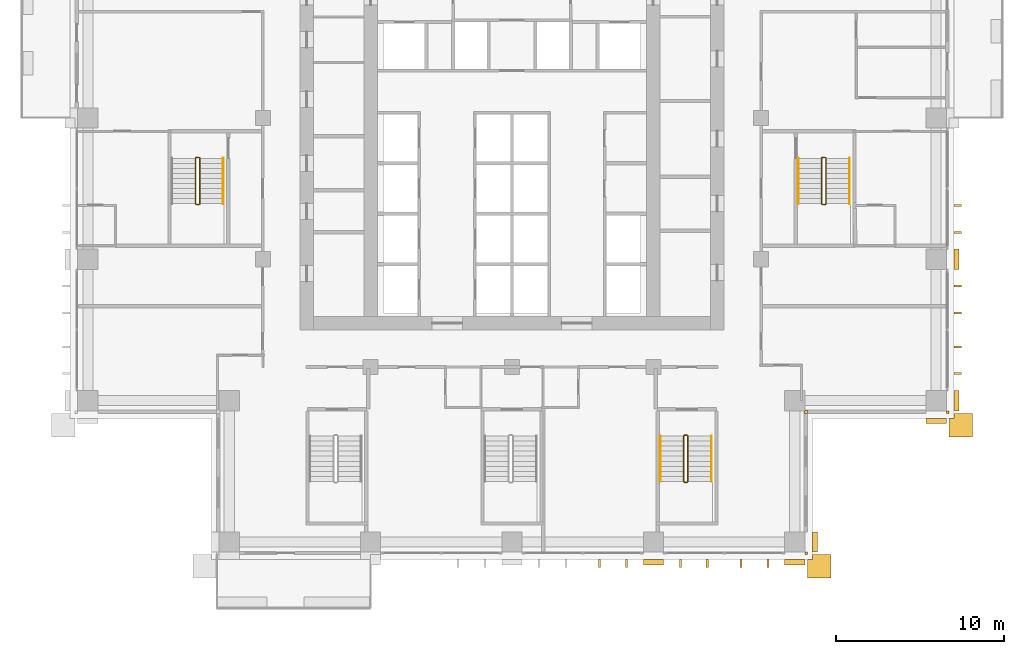
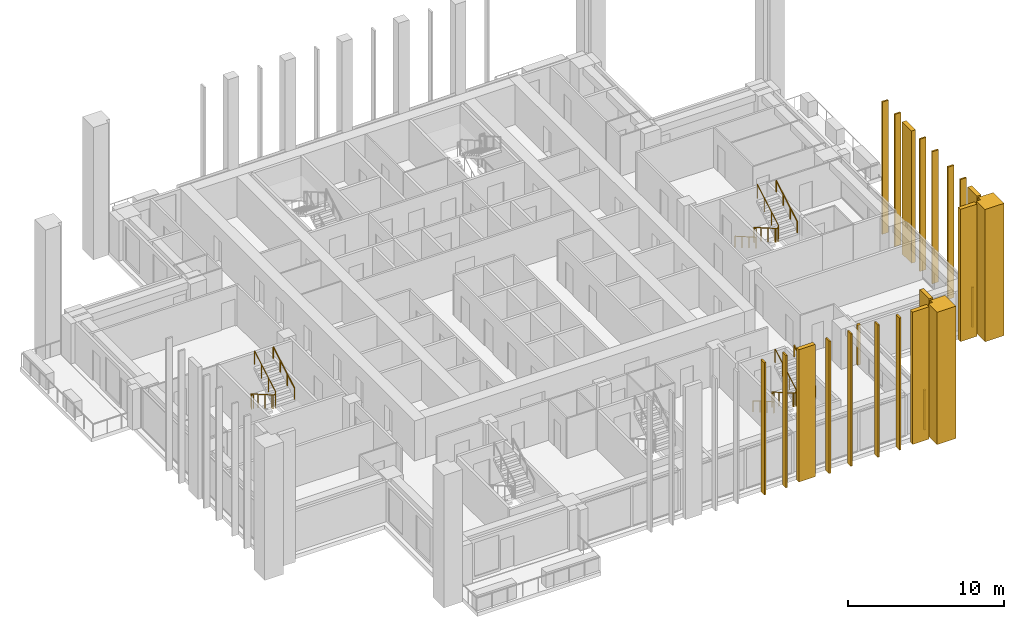
# One storey, part 15 of 18: 23 coverings, 8 railings.
"""IFC4 building model written with IfcOpenShell, lengths in metres."""

from ifc_helpers import new_model, si_unit, direction, frame, origin, origin_2d, place, context, subcontext, project, spatial, polyline, rectangle, outline, extrude, material, layer, layer_set, type_object, element, save


model = new_model("IFC4")

# Units and contexts
model_context = context("Model", 3, precision=1e-05, world=origin(), true_north=direction((0.0, 1.0)))
body_context = subcontext(model_context, "Body", "Model", "MODEL_VIEW")
ifc_project = project(units=[si_unit("LENGTHUNIT", "METRE"), si_unit("AREAUNIT", "SQUARE_METRE"), si_unit("VOLUMEUNIT", "CUBIC_METRE"), si_unit("PLANEANGLEUNIT", "RADIAN"), si_unit("MASSUNIT", "GRAM", prefix="KILO")], contexts=[model_context])

# Site, building, storey
site_placement = place(None, origin())
site = spatial("IfcSite", under=ifc_project, at=site_placement, CompositionType="ELEMENT")
building_placement = place(site_placement, origin())
building = spatial("IfcBuilding", under=site, at=building_placement, Name="Vermilion Ogive Tower", CompositionType="ELEMENT")
storey_placement = place(building_placement, frame((0.0, 0.0, 80.39990234375)))
storey = spatial("IfcBuildingStorey", under=building, at=storey_placement, Name="L19", CompositionType="ELEMENT", Elevation=80.39990234375)

# Coverings
ifc_material_1 = material(Name="Glazed ceramic screen")
ifc_layer = layer(ifc_material_1, 0.14990234375)
ifc_layer_set = layer_set([ifc_layer], Name="Ceramic solar screen fin")
covering_type_1 = type_object("IfcCoveringType", Name="Ceramic solar screen fin", PredefinedType="CLADDING", material=ifc_layer_set)
covering_1_placement = place(storey_placement, frame((0.0, 0.0, -0.31982421875)))
element("IfcCovering", 1, at=covering_1_placement, inside=storey, type_object=covering_type_1, Name="Solar screen blade S011", PredefinedType="CLADDING", context=body_context, shape_type="SweptSolid", body=[
    extrude(outline(polyline([(5.139892578125, -22.5), (5.260009765625, -22.5), (5.260009765625, -22.050048828125), (5.139892578125, -22.050048828125), (5.139892578125, -22.5)])), origin(), (0.0, 0.0, 1.0), 10.349853515625),
])
covering_2_placement = place(storey_placement, frame((0.0, 0.0, -0.31982421875)))
element("IfcCovering", 2, at=covering_2_placement, inside=storey, type_object=covering_type_1, Name="Solar screen blade S012", PredefinedType="CLADDING", context=body_context, shape_type="SweptSolid", body=[
    extrude(outline(polyline([(6.739990234375, -22.5), (6.860107421875, -22.5), (6.860107421875, -22.050048828125), (6.739990234375, -22.050048828125), (6.739990234375, -22.5)])), origin(), (0.0, 0.0, 1.0), 10.349853515625),
])
covering_3_placement = place(storey_placement, frame((0.0, 0.0, -0.31982421875)))
element("IfcCovering", 3, at=covering_3_placement, inside=storey, type_object=covering_type_1, Name="Solar screen blade S021", PredefinedType="CLADDING", context=body_context, shape_type="SweptSolid", body=[
    extrude(outline(polyline([(9.93994140625, -22.5), (10.06005859375, -22.5), (10.06005859375, -22.050048828125), (9.93994140625, -22.050048828125), (9.93994140625, -22.5)])), origin(), (0.0, 0.0, 1.0), 10.349853515625),
])
covering_4_placement = place(storey_placement, frame((0.0, 0.0, -0.31982421875)))
element("IfcCovering", 4, at=covering_4_placement, inside=storey, type_object=covering_type_1, Name="Solar screen blade S022", PredefinedType="CLADDING", context=body_context, shape_type="SweptSolid", body=[
    extrude(outline(polyline([(11.5400390625, -22.5), (11.659912109375, -22.5), (11.659912109375, -22.050048828125), (11.5400390625, -22.050048828125), (11.5400390625, -22.5)])), origin(), (0.0, 0.0, 1.0), 10.349853515625),
])
covering_5_placement = place(storey_placement, frame((0.0, 0.0, -0.31982421875)))
element("IfcCovering", 5, at=covering_5_placement, inside=storey, type_object=covering_type_1, Name="Solar screen blade S031", PredefinedType="CLADDING", context=body_context, shape_type="SweptSolid", body=[
    extrude(outline(polyline([(13.5400390625, -22.5), (13.659912109375, -22.5), (13.659912109375, -22.050048828125), (13.5400390625, -22.050048828125), (13.5400390625, -22.5)])), origin(), (0.0, 0.0, 1.0), 10.349853515625),
])
covering_6_placement = place(storey_placement, frame((0.0, 0.0, -0.31982421875)))
element("IfcCovering", 6, at=covering_6_placement, inside=storey, type_object=covering_type_1, Name="Solar screen blade S032", PredefinedType="CLADDING", context=body_context, shape_type="SweptSolid", body=[
    extrude(outline(polyline([(15.139892578125, -22.5), (15.260009765625, -22.5), (15.260009765625, -22.050048828125), (15.139892578125, -22.050048828125), (15.139892578125, -22.5)])), origin(), (0.0, 0.0, 1.0), 10.349853515625),
])
covering_7_placement = place(storey_placement, frame((0.0, 0.0, -0.31982421875)))
element("IfcCovering", 7, at=covering_7_placement, inside=storey, type_object=covering_type_1, Name="Solar screen blade E971", PredefinedType="CLADDING", context=body_context, shape_type="SweptSolid", body=[
    extrude(outline(polyline([(26.699951171875, -11.06005859375), (26.699951171875, -10.93994140625), (26.25, -10.93994140625), (26.25, -11.06005859375), (26.699951171875, -11.06005859375)])), origin(), (0.0, 0.0, 1.0), 10.349853515625),
])
covering_8_placement = place(storey_placement, frame((0.0, 0.0, -0.31982421875)))
element("IfcCovering", 8, at=covering_8_placement, inside=storey, type_object=covering_type_1, Name="Solar screen blade E972", PredefinedType="CLADDING", context=body_context, shape_type="SweptSolid", body=[
    extrude(outline(polyline([(26.699951171875, -9.4599609375), (26.699951171875, -9.340087890625), (26.25, -9.340087890625), (26.25, -9.4599609375), (26.699951171875, -9.4599609375)])), origin(), (0.0, 0.0, 1.0), 10.349853515625),
])
covering_9_placement = place(storey_placement, frame((0.0, 0.0, -0.31982421875)))
element("IfcCovering", 9, at=covering_9_placement, inside=storey, type_object=covering_type_1, Name="Solar screen blade E981", PredefinedType="CLADDING", context=body_context, shape_type="SweptSolid", body=[
    extrude(outline(polyline([(26.699951171875, -7.4599609375), (26.699951171875, -7.340087890625), (26.25, -7.340087890625), (26.25, -7.4599609375), (26.699951171875, -7.4599609375)])), origin(), (0.0, 0.0, 1.0), 10.349853515625),
])
covering_10_placement = place(storey_placement, frame((0.0, 0.0, -0.31982421875)))
element("IfcCovering", 10, at=covering_10_placement, inside=storey, type_object=covering_type_1, Name="Solar screen blade E982", PredefinedType="CLADDING", context=body_context, shape_type="SweptSolid", body=[
    extrude(outline(polyline([(26.699951171875, -5.860107421875), (26.699951171875, -5.739990234375), (26.25, -5.739990234375), (26.25, -5.860107421875), (26.699951171875, -5.860107421875)])), origin(), (0.0, 0.0, 1.0), 10.349853515625),
])
covering_11_placement = place(storey_placement, frame((0.0, 0.0, -0.31982421875)))
element("IfcCovering", 11, at=covering_11_placement, inside=storey, type_object=covering_type_1, Name="Solar screen blade E991", PredefinedType="CLADDING", context=body_context, shape_type="SweptSolid", body=[
    extrude(outline(polyline([(26.699951171875, -2.659912109375), (26.699951171875, -2.5400390625), (26.25, -2.5400390625), (26.25, -2.659912109375), (26.699951171875, -2.659912109375)])), origin(), (0.0, 0.0, 1.0), 10.349853515625),
])
covering_12_placement = place(storey_placement, frame((0.0, 0.0, -0.31982421875)))
element("IfcCovering", 12, at=covering_12_placement, inside=storey, type_object=covering_type_1, Name="Solar screen blade E992", PredefinedType="CLADDING", context=body_context, shape_type="SweptSolid", body=[
    extrude(outline(polyline([(26.699951171875, -1.06005859375), (26.699951171875, -0.93994140625), (26.25, -0.93994140625), (26.25, -1.06005859375), (26.699951171875, -1.06005859375)])), origin(), (0.0, 0.0, 1.0), 10.349853515625),
])

# Railings
ifc_material_2 = material(Name="Steel S355 painted", Category="steel")
railing_type_1 = type_object("IfcRailingType", Name="Stair guard 1100", PredefinedType="GUARDRAIL", material=ifc_material_2)
railing_1_placement = place(storey_placement, frame((10.39990234375, -14.64990234375, 0.0)))
element("IfcRailing", 13, at=railing_1_placement, inside=storey, type_object=railing_type_1, Name="L19 ST5 stair guard 4", PredefinedType="GUARDRAIL", context=body_context, shape_type="SweptSolid", body=[
    extrude(rectangle(XDim=0.048095703125, YDim=0.048095703125, at=origin_2d()), frame((0.0, 0.0, 1.076171875), z_axis=(-1.0, 0.0, 0.0), x_axis=(0.0, -1.0, 0.0)), (0.0, 0.0, 1.0), 0.14990234375),
    extrude(rectangle(XDim=0.048095703125, YDim=0.048095703125, at=origin_2d()), frame((-0.14990234375, 0.0, 1.076171875), z_axis=(-0.268277960024, -0.268277960024, 0.925231793839), x_axis=(0.707106781187, -0.707106781187, 0.0)), (0.0, 0.0, 1.0), 0.1865234375),
    extrude(rectangle(XDim=0.048095703125, YDim=0.048095703125, at=origin_2d()), frame((-0.199951171875, -0.050048828125, 1.24853515625), z_axis=(0.0, -0.866903762492, 0.498475542607), x_axis=(1.0, 0.0, 0.0)), (0.0, 0.0, 1.0), 3.114501953125),
    extrude(rectangle(XDim=0.048095703125, YDim=0.048095703125, at=origin_2d()), frame((-0.199951171875, -2.75, 2.80126953125), z_axis=(0.707106781187, -0.707106781187, 0.0), x_axis=(0.707106781187, 0.707106781187, 0.0)), (0.0, 0.0, 1.0), 0.07080078125),
    extrude(rectangle(XDim=0.048095703125, YDim=0.048095703125, at=origin_2d()), frame((-0.14990234375, -2.800048828125, 2.80126953125), z_axis=(1.0, 0.0, 0.0), x_axis=(0.0, 1.0, 0.0)), (0.0, 0.0, 1.0), 0.14990234375),
    extrude(rectangle(XDim=0.048095703125, YDim=0.048095703125, at=origin_2d()), frame((0.0, -2.800048828125, 2.80126953125), z_axis=(0.268277960024, 0.268277960024, 0.925231793839), x_axis=(-0.707106781187, 0.707106781187, 0.0)), (0.0, 0.0, 1.0), 0.1865234375),
    extrude(rectangle(XDim=0.048095703125, YDim=0.048095703125, at=origin_2d()), frame((0.050048828125, -2.75, 2.9736328125), z_axis=(0.0, 0.866903762492, 0.498475542607), x_axis=(-1.0, 0.0, 0.0)), (0.0, 0.0, 1.0), 3.114501953125),
    extrude(rectangle(XDim=0.0419921875, YDim=0.0419921875, at=origin_2d()), origin(), (0.0, 0.0, 1.0), 1.052001953125),
    extrude(rectangle(XDim=0.0419921875, YDim=0.0419921875, at=origin_2d()), frame((-0.14990234375, 0.0, 0.0)), (0.0, 0.0, 1.0), 1.052001953125),
    extrude(rectangle(XDim=0.0419921875, YDim=0.0419921875, at=origin_2d()), frame((-0.199951171875, -0.050048828125, 0.172607421875)), (0.0, 0.0, 1.0), 1.052001953125),
    extrude(rectangle(XDim=0.0419921875, YDim=0.0419921875, at=origin_2d()), frame((-0.199951171875, -0.949951171875, 0.690185546875)), (0.0, 0.0, 1.0), 1.052001953125),
    extrude(rectangle(XDim=0.0419921875, YDim=0.0419921875, at=origin_2d()), frame((-0.199951171875, -1.85009765625, 1.20751953125)), (0.0, 0.0, 1.0), 1.052001953125),
    extrude(rectangle(XDim=0.0419921875, YDim=0.0419921875, at=origin_2d()), frame((-0.199951171875, -2.75, 1.72509765625)), (0.0, 0.0, 1.0), 1.052001953125),
    extrude(rectangle(XDim=0.0419921875, YDim=0.0419921875, at=origin_2d()), frame((-0.14990234375, -2.800048828125, 1.72509765625)), (0.0, 0.0, 1.0), 1.052001953125),
    extrude(rectangle(XDim=0.0419921875, YDim=0.0419921875, at=origin_2d()), frame((0.0, -2.800048828125, 1.72509765625)), (0.0, 0.0, 1.0), 1.052001953125),
    extrude(rectangle(XDim=0.0419921875, YDim=0.0419921875, at=origin_2d()), frame((0.050048828125, -2.75, 1.897705078125)), (0.0, 0.0, 1.0), 1.052001953125),
    extrude(rectangle(XDim=0.0419921875, YDim=0.0419921875, at=origin_2d()), frame((0.050048828125, -1.85009765625, 2.415283203125)), (0.0, 0.0, 1.0), 1.052001953125),
    extrude(rectangle(XDim=0.0419921875, YDim=0.0419921875, at=origin_2d()), frame((0.050048828125, -0.949951171875, 2.9326171875)), (0.0, 0.0, 1.0), 1.052001953125),
    extrude(rectangle(XDim=0.0419921875, YDim=0.0419921875, at=origin_2d()), frame((0.050048828125, -0.050048828125, 3.4501953125)), (0.0, 0.0, 1.0), 1.052001953125),
])
railing_2_placement = place(storey_placement, frame((18.60009765625, 1.85009765625, 0.0)))
element("IfcRailing", 14, at=railing_2_placement, inside=storey, type_object=railing_type_1, Name="L19 ST8 stair guard 4", PredefinedType="GUARDRAIL", context=body_context, shape_type="SweptSolid", body=[
    extrude(rectangle(XDim=0.048095703125, YDim=0.048095703125, at=origin_2d()), frame((0.0, 0.0, 1.076171875), z_axis=(-1.0, 0.0, 0.0), x_axis=(0.0, -1.0, 0.0)), (0.0, 0.0, 1.0), 0.150146484375),
    extrude(rectangle(XDim=0.048095703125, YDim=0.048095703125, at=origin_2d()), frame((-0.150146484375, 0.0, 1.076171875), z_axis=(-0.268277960024, -0.268277960024, 0.925231793839), x_axis=(0.707106781187, -0.707106781187, 0.0)), (0.0, 0.0, 1.0), 0.1865234375),
    extrude(rectangle(XDim=0.048095703125, YDim=0.048095703125, at=origin_2d()), frame((-0.2001953125, -0.050048828125, 1.24853515625), z_axis=(0.0, -0.866903762492, 0.498475542607), x_axis=(1.0, 0.0, 0.0)), (0.0, 0.0, 1.0), 3.114501953125),
    extrude(rectangle(XDim=0.048095703125, YDim=0.048095703125, at=origin_2d()), frame((-0.2001953125, -2.75, 2.80126953125), z_axis=(0.707106781187, -0.707106781187, 0.0), x_axis=(0.707106781187, 0.707106781187, 0.0)), (0.0, 0.0, 1.0), 0.07080078125),
    extrude(rectangle(XDim=0.048095703125, YDim=0.048095703125, at=origin_2d()), frame((-0.150146484375, -2.800048828125, 2.80126953125), z_axis=(1.0, 0.0, 0.0), x_axis=(0.0, 1.0, 0.0)), (0.0, 0.0, 1.0), 0.150146484375),
    extrude(rectangle(XDim=0.048095703125, YDim=0.048095703125, at=origin_2d()), frame((0.0, -2.800048828125, 2.80126953125), z_axis=(0.267062837333, 0.268371968888, 0.925556009775), x_axis=(-0.708833529934, 0.705375805398, 0.0)), (0.0, 0.0, 1.0), 0.1865234375),
    extrude(rectangle(XDim=0.048095703125, YDim=0.048095703125, at=origin_2d()), frame((0.0498046875, -2.75, 2.9736328125), z_axis=(0.0, 0.866903762492, 0.498475542607), x_axis=(-1.0, 0.0, 0.0)), (0.0, 0.0, 1.0), 3.114501953125),
    extrude(rectangle(XDim=0.0419921875, YDim=0.0419921875, at=origin_2d()), origin(), (0.0, 0.0, 1.0), 1.052001953125),
    extrude(rectangle(XDim=0.0419921875, YDim=0.0419921875, at=origin_2d()), frame((-0.150146484375, 0.0, 0.0)), (0.0, 0.0, 1.0), 1.052001953125),
    extrude(rectangle(XDim=0.0419921875, YDim=0.0419921875, at=origin_2d()), frame((-0.2001953125, -0.050048828125, 0.172607421875)), (0.0, 0.0, 1.0), 1.052001953125),
    extrude(rectangle(XDim=0.0419921875, YDim=0.0419921875, at=origin_2d()), frame((-0.2001953125, -0.949951171875, 0.690185546875)), (0.0, 0.0, 1.0), 1.052001953125),
    extrude(rectangle(XDim=0.0419921875, YDim=0.0419921875, at=origin_2d()), frame((-0.2001953125, -1.85009765625, 1.20751953125)), (0.0, 0.0, 1.0), 1.052001953125),
    extrude(rectangle(XDim=0.0419921875, YDim=0.0419921875, at=origin_2d()), frame((-0.2001953125, -2.75, 1.72509765625)), (0.0, 0.0, 1.0), 1.052001953125),
    extrude(rectangle(XDim=0.0419921875, YDim=0.0419921875, at=origin_2d()), frame((-0.150146484375, -2.800048828125, 1.72509765625)), (0.0, 0.0, 1.0), 1.052001953125),
    extrude(rectangle(XDim=0.0419921875, YDim=0.0419921875, at=origin_2d()), frame((0.0, -2.800048828125, 1.72509765625)), (0.0, 0.0, 1.0), 1.052001953125),
    extrude(rectangle(XDim=0.0419921875, YDim=0.0419921875, at=origin_2d()), frame((0.0498046875, -2.75, 1.897705078125)), (0.0, 0.0, 1.0), 1.052001953125),
    extrude(rectangle(XDim=0.0419921875, YDim=0.0419921875, at=origin_2d()), frame((0.0498046875, -1.85009765625, 2.415283203125)), (0.0, 0.0, 1.0), 1.052001953125),
    extrude(rectangle(XDim=0.0419921875, YDim=0.0419921875, at=origin_2d()), frame((0.0498046875, -0.949951171875, 2.9326171875)), (0.0, 0.0, 1.0), 1.052001953125),
    extrude(rectangle(XDim=0.0419921875, YDim=0.0419921875, at=origin_2d()), frame((0.0498046875, -0.050048828125, 3.4501953125)), (0.0, 0.0, 1.0), 1.052001953125),
])
railing_3_placement = place(storey_placement, frame((-18.60009765625, 1.85009765625, 0.0)))
element("IfcRailing", 15, at=railing_3_placement, inside=storey, type_object=railing_type_1, Name="L19 ST9 stair guard 4", PredefinedType="GUARDRAIL", context=body_context, shape_type="SweptSolid", body=[
    extrude(rectangle(XDim=0.048095703125, YDim=0.048095703125, at=origin_2d()), frame((0.0, 0.0, 1.076171875), z_axis=(-1.0, 0.0, 0.0), x_axis=(0.0, -1.0, 0.0)), (0.0, 0.0, 1.0), 0.14990234375),
    extrude(rectangle(XDim=0.048095703125, YDim=0.048095703125, at=origin_2d()), frame((-0.14990234375, 0.0, 1.076171875), z_axis=(-0.268277960024, -0.268277960024, 0.925231793839), x_axis=(0.707106781187, -0.707106781187, 0.0)), (0.0, 0.0, 1.0), 0.1865234375),
    extrude(rectangle(XDim=0.048095703125, YDim=0.048095703125, at=origin_2d()), frame((-0.199951171875, -0.050048828125, 1.24853515625), z_axis=(0.0, -0.866903762492, 0.498475542607), x_axis=(1.0, 0.0, 0.0)), (0.0, 0.0, 1.0), 3.114501953125),
    extrude(rectangle(XDim=0.048095703125, YDim=0.048095703125, at=origin_2d()), frame((-0.199951171875, -2.75, 2.80126953125), z_axis=(0.707106781187, -0.707106781187, 0.0), x_axis=(0.707106781187, 0.707106781187, 0.0)), (0.0, 0.0, 1.0), 0.07080078125),
    extrude(rectangle(XDim=0.048095703125, YDim=0.048095703125, at=origin_2d()), frame((-0.14990234375, -2.800048828125, 2.80126953125), z_axis=(1.0, 0.0, 0.0), x_axis=(0.0, 1.0, 0.0)), (0.0, 0.0, 1.0), 0.14990234375),
    extrude(rectangle(XDim=0.048095703125, YDim=0.048095703125, at=origin_2d()), frame((0.0, -2.800048828125, 2.80126953125), z_axis=(0.268277960024, 0.268277960024, 0.925231793839), x_axis=(-0.707106781187, 0.707106781187, 0.0)), (0.0, 0.0, 1.0), 0.1865234375),
    extrude(rectangle(XDim=0.048095703125, YDim=0.048095703125, at=origin_2d()), frame((0.050048828125, -2.75, 2.9736328125), z_axis=(0.0, 0.866903762492, 0.498475542607), x_axis=(-1.0, 0.0, 0.0)), (0.0, 0.0, 1.0), 3.114501953125),
    extrude(rectangle(XDim=0.0419921875, YDim=0.0419921875, at=origin_2d()), origin(), (0.0, 0.0, 1.0), 1.052001953125),
    extrude(rectangle(XDim=0.0419921875, YDim=0.0419921875, at=origin_2d()), frame((-0.14990234375, 0.0, 0.0)), (0.0, 0.0, 1.0), 1.052001953125),
    extrude(rectangle(XDim=0.0419921875, YDim=0.0419921875, at=origin_2d()), frame((-0.199951171875, -0.050048828125, 0.172607421875)), (0.0, 0.0, 1.0), 1.052001953125),
    extrude(rectangle(XDim=0.0419921875, YDim=0.0419921875, at=origin_2d()), frame((-0.199951171875, -0.949951171875, 0.690185546875)), (0.0, 0.0, 1.0), 1.052001953125),
    extrude(rectangle(XDim=0.0419921875, YDim=0.0419921875, at=origin_2d()), frame((-0.199951171875, -1.85009765625, 1.20751953125)), (0.0, 0.0, 1.0), 1.052001953125),
    extrude(rectangle(XDim=0.0419921875, YDim=0.0419921875, at=origin_2d()), frame((-0.199951171875, -2.75, 1.72509765625)), (0.0, 0.0, 1.0), 1.052001953125),
    extrude(rectangle(XDim=0.0419921875, YDim=0.0419921875, at=origin_2d()), frame((-0.14990234375, -2.800048828125, 1.72509765625)), (0.0, 0.0, 1.0), 1.052001953125),
    extrude(rectangle(XDim=0.0419921875, YDim=0.0419921875, at=origin_2d()), frame((0.0, -2.800048828125, 1.72509765625)), (0.0, 0.0, 1.0), 1.052001953125),
    extrude(rectangle(XDim=0.0419921875, YDim=0.0419921875, at=origin_2d()), frame((0.050048828125, -2.75, 1.897705078125)), (0.0, 0.0, 1.0), 1.052001953125),
    extrude(rectangle(XDim=0.0419921875, YDim=0.0419921875, at=origin_2d()), frame((0.050048828125, -1.85009765625, 2.415283203125)), (0.0, 0.0, 1.0), 1.052001953125),
    extrude(rectangle(XDim=0.0419921875, YDim=0.0419921875, at=origin_2d()), frame((0.050048828125, -0.949951171875, 2.9326171875)), (0.0, 0.0, 1.0), 1.052001953125),
    extrude(rectangle(XDim=0.0419921875, YDim=0.0419921875, at=origin_2d()), frame((0.050048828125, -0.050048828125, 3.4501953125)), (0.0, 0.0, 1.0), 1.052001953125),
])
ifc_material_3 = material(Name="Stainless steel", Category="steel")
railing_type_2 = type_object("IfcRailingType", Name="Stair handrail 900", PredefinedType="HANDRAIL", material=ifc_material_3)
railing_4_placement = place(storey_placement, frame((8.800048828125, -14.699951171875, 0.172607421875)))
element("IfcRailing", 16, at=railing_4_placement, inside=storey, type_object=railing_type_2, Name="L19 ST5 stair handrail 1", PredefinedType="HANDRAIL", context=body_context, shape_type="SweptSolid", body=[
    extrude(rectangle(XDim=0.048095703125, YDim=0.048095703125, at=origin_2d()), frame((0.0, 0.0, 0.8759765625), z_axis=(0.0, -0.866903762492, 0.498475542607), x_axis=(1.0, 0.0, 0.0)), (0.0, 0.0, 1.0), 3.114501953125),
    extrude(rectangle(XDim=0.0419921875, YDim=0.0419921875, at=origin_2d()), origin(), (0.0, 0.0, 1.0), 0.851806640625),
    extrude(rectangle(XDim=0.0419921875, YDim=0.0419921875, at=origin_2d()), frame((0.0, -0.89990234375, 0.517578125)), (0.0, 0.0, 1.0), 0.851806640625),
    extrude(rectangle(XDim=0.0419921875, YDim=0.0419921875, at=origin_2d()), frame((0.0, -1.800048828125, 1.034912109375)), (0.0, 0.0, 1.0), 0.851806640625),
    extrude(rectangle(XDim=0.0419921875, YDim=0.0419921875, at=origin_2d()), frame((0.0, -2.699951171875, 1.552490234375)), (0.0, 0.0, 1.0), 0.851806640625),
])
railing_5_placement = place(storey_placement, frame((11.85009765625, -17.39990234375, 1.897705078125)))
element("IfcRailing", 17, at=railing_5_placement, inside=storey, type_object=railing_type_2, Name="L19 ST5 stair handrail 2", PredefinedType="HANDRAIL", context=body_context, shape_type="SweptSolid", body=[
    extrude(rectangle(XDim=0.048095703125, YDim=0.048095703125, at=origin_2d()), frame((0.0, 0.0, 0.8759765625), z_axis=(0.0, 0.866903762492, 0.498475542607), x_axis=(-1.0, 0.0, 0.0)), (0.0, 0.0, 1.0), 3.114501953125),
    extrude(rectangle(XDim=0.0419921875, YDim=0.0419921875, at=origin_2d()), origin(), (0.0, 0.0, 1.0), 0.851806640625),
    extrude(rectangle(XDim=0.0419921875, YDim=0.0419921875, at=origin_2d()), frame((0.0, 0.89990234375, 0.517578125)), (0.0, 0.0, 1.0), 0.851806640625),
    extrude(rectangle(XDim=0.0419921875, YDim=0.0419921875, at=origin_2d()), frame((0.0, 1.800048828125, 1.034912109375)), (0.0, 0.0, 1.0), 0.851806640625),
    extrude(rectangle(XDim=0.0419921875, YDim=0.0419921875, at=origin_2d()), frame((0.0, 2.699951171875, 1.552490234375)), (0.0, 0.0, 1.0), 0.851806640625),
])
railing_6_placement = place(storey_placement, frame((17.0, 1.800048828125, 0.172607421875)))
element("IfcRailing", 18, at=railing_6_placement, inside=storey, type_object=railing_type_2, Name="L19 ST8 stair handrail 1", PredefinedType="HANDRAIL", context=body_context, shape_type="SweptSolid", body=[
    extrude(rectangle(XDim=0.048095703125, YDim=0.048095703125, at=origin_2d()), frame((0.0, 0.0, 0.8759765625), z_axis=(0.0, -0.866903762492, 0.498475542607), x_axis=(1.0, 0.0, 0.0)), (0.0, 0.0, 1.0), 3.114501953125),
    extrude(rectangle(XDim=0.0419921875, YDim=0.0419921875, at=origin_2d()), origin(), (0.0, 0.0, 1.0), 0.851806640625),
    extrude(rectangle(XDim=0.0419921875, YDim=0.0419921875, at=origin_2d()), frame((0.0, -0.89990234375, 0.517578125)), (0.0, 0.0, 1.0), 0.851806640625),
    extrude(rectangle(XDim=0.0419921875, YDim=0.0419921875, at=origin_2d()), frame((0.0, -1.800048828125, 1.034912109375)), (0.0, 0.0, 1.0), 0.851806640625),
    extrude(rectangle(XDim=0.0419921875, YDim=0.0419921875, at=origin_2d()), frame((0.0, -2.699951171875, 1.552490234375)), (0.0, 0.0, 1.0), 0.851806640625),
])
for number, where, name in (
    (19, (20.050048828125, -0.89990234375, 1.897705078125), "L19 ST8 stair handrail 2"),
    (20, (-17.14990234375, -0.89990234375, 1.897705078125), "L19 ST9 stair handrail 2"),
):
    element("IfcRailing", number, at=place(storey_placement, frame(where)), inside=storey, type_object=railing_type_2, Name=name, PredefinedType="HANDRAIL", context=body_context, shape_type="SweptSolid", body=[
        extrude(rectangle(XDim=0.048095703125, YDim=0.048095703125, at=origin_2d()), frame((0.0, 0.0, 0.8759765625), z_axis=(0.0, 0.866903762492, 0.498475542607), x_axis=(-1.0, 0.0, 0.0)), (0.0, 0.0, 1.0), 3.114501953125),
        extrude(rectangle(XDim=0.0419921875, YDim=0.0419921875, at=origin_2d()), origin(), (0.0, 0.0, 1.0), 0.851806640625),
        extrude(rectangle(XDim=0.0419921875, YDim=0.0419921875, at=origin_2d()), frame((0.0, 0.89990234375, 0.517578125)), (0.0, 0.0, 1.0), 0.851806640625),
        extrude(rectangle(XDim=0.0419921875, YDim=0.0419921875, at=origin_2d()), frame((0.0, 1.800048828125, 1.034912109375)), (0.0, 0.0, 1.0), 0.851806640625),
        extrude(rectangle(XDim=0.0419921875, YDim=0.0419921875, at=origin_2d()), frame((0.0, 2.699951171875, 1.552490234375)), (0.0, 0.0, 1.0), 0.851806640625),
    ])

# Coverings
ifc_material_4 = material(Name="Stone cladding", Category="masonry")
covering_type_2 = type_object("IfcCoveringType", Name="Stone corner buttress", PredefinedType="CLADDING", material=ifc_material_4)
covering_13_placement = place(storey_placement, frame((0.0, 0.0, -0.31982421875)))
element("IfcCovering", 21, at=covering_13_placement, inside=storey, type_object=covering_type_2, Name="Stone corner buttress X11", PredefinedType="CLADDING", context=body_context, shape_type="SweptSolid", body=[
    extrude(outline(polyline([(17.550048828125, -22.050048828125), (17.85009765625, -22.050048828125), (17.85009765625, -21.75), (18.949951171875, -21.75), (18.949951171875, -23.14990234375), (17.550048828125, -23.14990234375), (17.550048828125, -22.050048828125)])), origin(), (0.0, 0.0, 1.0), 10.349853515625),
])
covering_14_placement = place(storey_placement, frame((0.0, 0.0, -0.31982421875)))
element("IfcCovering", 22, at=covering_14_placement, inside=storey, type_object=covering_type_2, Name="Stone corner buttress E1", PredefinedType="CLADDING", context=body_context, shape_type="SweptSolid", body=[
    extrude(outline(polyline([(25.949951171875, -13.64990234375), (26.25, -13.64990234375), (26.25, -13.35009765625), (27.35009765625, -13.35009765625), (27.35009765625, -14.75), (25.949951171875, -14.75), (25.949951171875, -13.64990234375)])), origin(), (0.0, 0.0, 1.0), 10.349853515625),
])
ifc_material_5 = material(Name="Stone cladding", Category="masonry")
covering_type_3 = type_object("IfcCoveringType", Name="Stone pier", PredefinedType="CLADDING", material=ifc_material_5)
covering_15_placement = place(storey_placement, origin())
element("IfcCovering", 23, at=covering_15_placement, inside=storey, type_object=covering_type_3, Name="Stone corner pier SE1", PredefinedType="CLADDING", context=body_context, shape_type="SweptSolid", body=[
    extrude(outline(polyline([(17.39990234375, -21.75), (17.39990234375, -21.60009765625), (17.39990234375, -21.60009765625), (17.550048828125, -21.60009765625), (17.550048828125, -21.75), (17.39990234375, -21.75)])), origin(), (0.0, 0.0, 1.0), 3.130126953125),
])
covering_16_placement = place(storey_placement, origin())
element("IfcCovering", 24, at=covering_16_placement, inside=storey, type_object=covering_type_3, Name="Stone corner pier X1E1", PredefinedType="CLADDING", context=body_context, shape_type="SweptSolid", body=[
    extrude(outline(polyline([(17.35009765625, -13.199951171875), (17.39990234375, -13.199951171875), (17.39990234375, -13.14990234375), (17.550048828125, -13.14990234375), (17.550048828125, -13.35009765625), (17.35009765625, -13.35009765625), (17.35009765625, -13.199951171875)])), origin(), (0.0, 0.0, 1.0), 3.130126953125),
])
covering_17_placement = place(storey_placement, origin())
element("IfcCovering", 25, at=covering_17_placement, inside=storey, type_object=covering_type_3, Name="Stone corner pier X2E1", PredefinedType="CLADDING", context=body_context, shape_type="SweptSolid", body=[
    extrude(outline(polyline([(25.800048828125, -13.35009765625), (25.800048828125, -13.199951171875), (25.949951171875, -13.199951171875), (25.949951171875, -13.35009765625), (25.800048828125, -13.35009765625)])), origin(), (0.0, 0.0, 1.0), 3.130126953125),
])
covering_18_placement = place(storey_placement, frame((0.0, 0.0, -0.31982421875)))
element("IfcCovering", 26, at=covering_18_placement, inside=storey, type_object=covering_type_3, Name="Stone pier P+0084-210", PredefinedType="CLADDING", context=body_context, shape_type="SweptSolid", body=[
    extrude(outline(polyline([(9.0, -22.35009765625), (7.800048828125, -22.35009765625), (7.800048828125, -22.050048828125), (9.0, -22.050048828125), (9.0, -22.35009765625)])), origin(), (0.0, 0.0, 1.0), 10.349853515625),
])
covering_19_placement = place(storey_placement, frame((0.0, 0.0, -0.31982421875)))
element("IfcCovering", 27, at=covering_19_placement, inside=storey, type_object=covering_type_3, Name="Stone pier P+0168-210S", PredefinedType="CLADDING", context=body_context, shape_type="SweptSolid", body=[
    extrude(outline(polyline([(17.39990234375, -22.35009765625), (16.199951171875, -22.35009765625), (16.199951171875, -22.050048828125), (17.39990234375, -22.050048828125), (17.39990234375, -22.35009765625)])), origin(), (0.0, 0.0, 1.0), 10.349853515625),
])
covering_20_placement = place(storey_placement, frame((0.0, 0.0, -0.31982421875)))
element("IfcCovering", 28, at=covering_20_placement, inside=storey, type_object=covering_type_3, Name="Stone pier P+0168-210X1", PredefinedType="CLADDING", context=body_context, shape_type="SweptSolid", body=[
    extrude(outline(polyline([(18.14990234375, -21.60009765625), (17.85009765625, -21.60009765625), (17.85009765625, -20.39990234375), (18.14990234375, -20.39990234375), (18.14990234375, -21.60009765625)])), origin(), (0.0, 0.0, 1.0), 10.349853515625),
])
covering_21_placement = place(storey_placement, frame((0.0, 0.0, -0.31982421875)))
element("IfcCovering", 29, at=covering_21_placement, inside=storey, type_object=covering_type_3, Name="Stone pier P+0252-042", PredefinedType="CLADDING", context=body_context, shape_type="SweptSolid", body=[
    extrude(outline(polyline([(26.550048828125, -3.60009765625), (26.550048828125, -4.800048828125), (26.25, -4.800048828125), (26.25, -3.60009765625), (26.550048828125, -3.60009765625)])), origin(), (0.0, 0.0, 1.0), 10.349853515625),
])
covering_22_placement = place(storey_placement, frame((0.0, 0.0, -0.31982421875)))
element("IfcCovering", 30, at=covering_22_placement, inside=storey, type_object=covering_type_3, Name="Stone pier P+0252-126X2", PredefinedType="CLADDING", context=body_context, shape_type="SweptSolid", body=[
    extrude(outline(polyline([(25.800048828125, -13.949951171875), (24.60009765625, -13.949951171875), (24.60009765625, -13.64990234375), (25.800048828125, -13.64990234375), (25.800048828125, -13.949951171875)])), origin(), (0.0, 0.0, 1.0), 10.349853515625),
])
covering_23_placement = place(storey_placement, frame((0.0, 0.0, -0.31982421875)))
element("IfcCovering", 31, at=covering_23_placement, inside=storey, type_object=covering_type_3, Name="Stone pier P+0252-126E", PredefinedType="CLADDING", context=body_context, shape_type="SweptSolid", body=[
    extrude(outline(polyline([(26.550048828125, -13.199951171875), (26.25, -13.199951171875), (26.25, -12.0), (26.550048828125, -12.0), (26.550048828125, -13.199951171875)])), origin(), (0.0, 0.0, 1.0), 10.349853515625),
])

save(model, "model.ifc")
